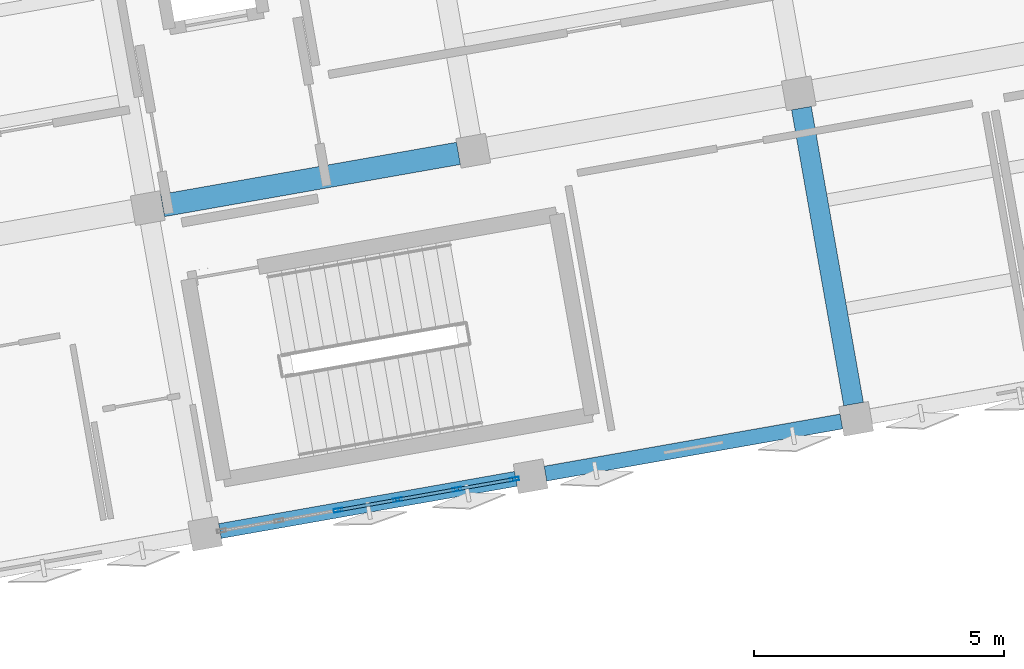
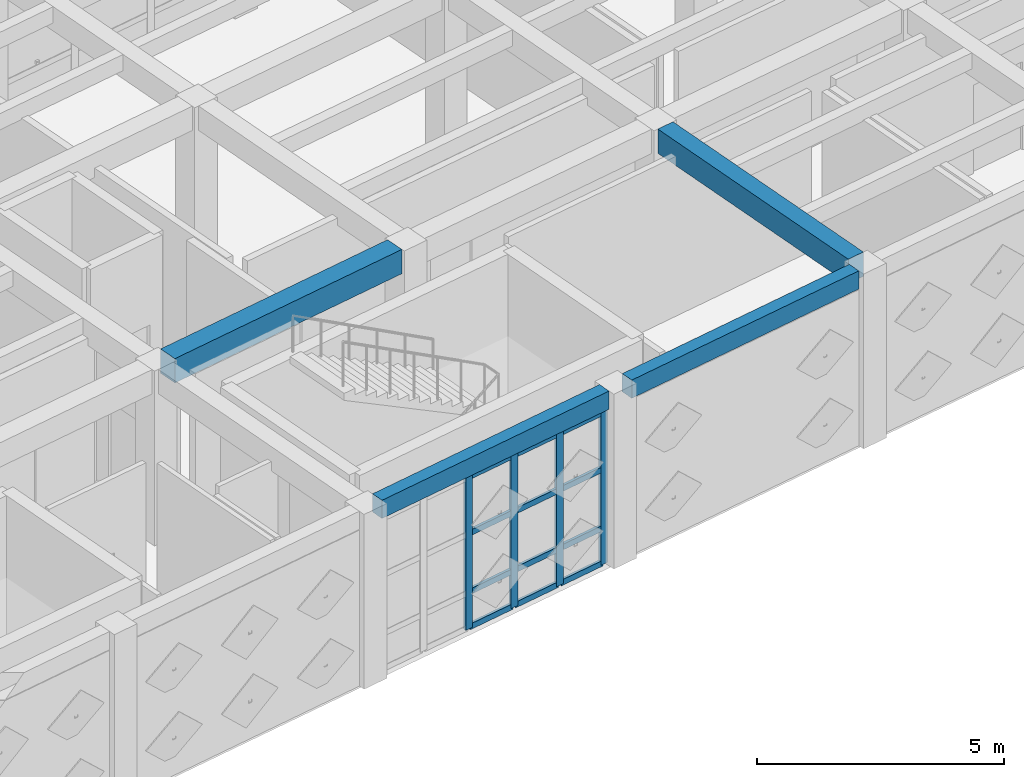
# One storey, part 4 of 36: 16 members, 4 beams, 1 element without a shape of its own.
"""IFC4 building model written with IfcOpenShell, lengths in metres."""

from ifc_helpers import new_model, si_unit, direction, frame, origin, origin_2d, place, context, subcontext, project, spatial, rectangle, hollow_rectangle, extrude, material, layer, layer_set, material_profile, profile_set, type_object, element, aggregate, save


model = new_model("IFC4")

# Units and contexts
model_context = context("Model", 3, precision=1e-05, world=origin(), true_north=direction((0.0, 1.0)))
body_context = subcontext(model_context, "Body", "Model", "MODEL_VIEW")
ifc_project = project(units=[si_unit("LENGTHUNIT", "METRE"), si_unit("AREAUNIT", "SQUARE_METRE"), si_unit("VOLUMEUNIT", "CUBIC_METRE"), si_unit("PLANEANGLEUNIT", "RADIAN"), si_unit("MASSUNIT", "GRAM", prefix="KILO")], contexts=[model_context])

# Site, building, storey
site_placement = place(None, origin())
site = spatial("IfcSite", under=ifc_project, at=site_placement, CompositionType="ELEMENT")
building_placement = place(site_placement, origin())
building = spatial("IfcBuilding", under=site, at=building_placement, Name="Kharisveld Research Institute", CompositionType="ELEMENT")
storey_placement = place(building_placement, frame((0.0, 0.0, 27.60009765625)))
storey = spatial("IfcBuildingStorey", under=building, at=storey_placement, Name="L06", CompositionType="ELEMENT", Elevation=27.60009765625)

# Beams
ifc_material_1 = material(Name="Concrete C40/50", Category="concrete")
ifc_material_profile_1 = material_profile(ifc_material_1, rectangle(XDim=0.39990234375, YDim=0.60009765625, at=origin_2d()))
ifc_profile_set_1 = profile_set([ifc_material_profile_1], Name="Concrete C40/50")
beam_type_1 = type_object("IfcBeamType", Name="BM_RC_400x600", PredefinedType="BEAM", material=ifc_profile_set_1)
beam_1_placement = place(storey_placement, frame((31.146728515625, 39.8896484375, 4.02001953125), z_axis=(-0.173622845926, 0.984812219346, 0.0), x_axis=(-0.984812219346, -0.173622845926, 0.0)))
element("IfcBeam", 1, at=beam_1_placement, inside=storey, type_object=beam_type_1, Name="BM:V1:L06:V4_0", PredefinedType="BEAM", context=body_context, shape_type="SweptSolid", body=[
    extrude(rectangle(XDim=0.39990234375, YDim=0.60009765625, at=origin_2d()), origin(), (0.0, 0.0, 1.0), 6.0),
])
ifc_material_2 = material(Name="Concrete C40/50", Category="concrete")
ifc_material_profile_2 = material_profile(ifc_material_2, rectangle(XDim=0.449951171875, YDim=0.60009765625, at=origin_2d()))
ifc_profile_set_2 = profile_set([ifc_material_profile_2], Name="Concrete C40/50")
beam_type_2 = type_object("IfcBeamType", Name="BM_RC_450x600", PredefinedType="BEAM", material=ifc_profile_set_2)
beam_2_placement = place(storey_placement, frame((17.348876953125, 43.85400390625, 4.02001953125), z_axis=(0.984810992686, 0.173629803561, 0.0), x_axis=(-0.173629803561, 0.984810992686, 0.0)))
element("IfcBeam", 2, at=beam_2_placement, inside=storey, type_object=beam_type_2, Name="BM:V1:L06:U2_1", PredefinedType="BEAM", context=body_context, shape_type="SweptSolid", body=[
    extrude(rectangle(XDim=0.449951171875, YDim=0.60009765625, at=origin_2d()), origin(), (0.0, 0.0, 1.0), 5.999755859375),
])

# Curtain wall, members
ifc_material_3 = material(Name="Thermally Broken Aluminium Curtain Wall", Category="aluminium")
ifc_layer = layer(ifc_material_3, 0.159912109375)
ifc_layer_set = layer_set([ifc_layer], Name="CW_SYS_01")
curtain_wall_type = type_object("IfcCurtainWallType", Name="CW_SYS_01", PredefinedType="NOTDEFINED", material=ifc_layer_set)
curtain_wall_placement = place(storey_placement, origin())
curtain_wall = element("IfcCurtainWall", 3, at=curtain_wall_placement, inside=storey, type_object=curtain_wall_type, Name="CW:V1:L06:S3", PredefinedType="NOTDEFINED")
ifc_material_4 = material(Name="Anodised Aluminium AW-6063-T6", Category="aluminium")
ifc_material_profile_3 = material_profile(ifc_material_4, hollow_rectangle(XDim=0.070068359375, YDim=0.179931640625, WallThickness=0.00439453125, at=origin_2d()))
ifc_profile_set_3 = profile_set([ifc_material_profile_3], Name="Anodised Aluminium AW-6063-T6")
member_type_1 = type_object("IfcMemberType", Name="CW_MUL_180", PredefinedType="MULLION", material=ifc_profile_set_3)
member_1_placement = place(storey_placement, frame((24.374267578125, 38.390869140625, 0.0), z_axis=(0.0, 0.0, 1.0), x_axis=(0.173648210685, -0.98480774719, 0.0)))
member_1 = element("IfcMember", 4, at=member_1_placement, type_object=member_type_1, Name="CW-01 mullion 1", PredefinedType="MULLION", context=body_context, shape_type="SweptSolid", body=[
    extrude(hollow_rectangle(XDim=0.070068359375, YDim=0.179931640625, WallThickness=0.00439453125, at=origin_2d()), origin(), (0.0, 0.0, 1.0), 3.77978515625),
])
member_2_placement = place(storey_placement, frame((23.224853515625, 38.188232421875, 0.0), z_axis=(0.0, 0.0, 1.0), x_axis=(0.173648210685, -0.98480774719, 0.0)))
member_2 = element("IfcMember", 5, at=member_2_placement, type_object=member_type_1, Name="CW-01 mullion 2", PredefinedType="MULLION", context=body_context, shape_type="SweptSolid", body=[
    extrude(hollow_rectangle(XDim=0.070068359375, YDim=0.179931640625, WallThickness=0.00439453125, at=origin_2d()), origin(), (0.0, 0.0, 1.0), 3.77978515625),
])
member_3_placement = place(storey_placement, frame((22.041259765625, 37.9794921875, 0.0), z_axis=(0.0, 0.0, 1.0), x_axis=(0.173648210685, -0.98480774719, 0.0)))
member_3 = element("IfcMember", 6, at=member_3_placement, type_object=member_type_1, Name="CW-01 mullion 3", PredefinedType="MULLION", context=body_context, shape_type="SweptSolid", body=[
    extrude(hollow_rectangle(XDim=0.070068359375, YDim=0.179931640625, WallThickness=0.00439453125, at=origin_2d()), origin(), (0.0, 0.0, 1.0), 3.77978515625),
])
member_4_placement = place(storey_placement, frame((20.857421875, 37.770751953125, 0.0), z_axis=(0.0, 0.0, 1.0), x_axis=(0.173648210685, -0.98480774719, 0.0)))
member_4 = element("IfcMember", 7, at=member_4_placement, type_object=member_type_1, Name="CW-01 mullion 4", PredefinedType="MULLION", context=body_context, shape_type="SweptSolid", body=[
    extrude(hollow_rectangle(XDim=0.070068359375, YDim=0.179931640625, WallThickness=0.00439453125, at=origin_2d()), origin(), (0.0, 0.0, 1.0), 3.77978515625),
])
ifc_material_5 = material(Name="Anodised Aluminium AW-6063-T6", Category="aluminium")
ifc_material_profile_4 = material_profile(ifc_material_5, hollow_rectangle(XDim=0.06494140625, YDim=0.139892578125, WallThickness=0.00390625, at=origin_2d()))
ifc_profile_set_4 = profile_set([ifc_material_profile_4], Name="Anodised Aluminium AW-6063-T6")
member_type_2 = type_object("IfcMemberType", Name="CW_TRN_140", PredefinedType="USERDEFINED", material=ifc_profile_set_4)
member_5_placement = place(storey_placement, frame((24.33984375, 38.384765625, 0.032470703125), z_axis=(-0.984817148087, -0.17359488712, 0.0), x_axis=(0.17359488712, -0.984817148087, 0.0)))
member_5 = element("IfcMember", 8, at=member_5_placement, type_object=member_type_2, Name="CW-01 transom 1.1", ObjectType="TRANSOM", PredefinedType="USERDEFINED", context=body_context, shape_type="SweptSolid", body=[
    extrude(hollow_rectangle(XDim=0.06494140625, YDim=0.139892578125, WallThickness=0.00390625, at=origin_2d()), origin(), (0.0, 0.0, 1.0), 1.096923828125),
])
member_6_placement = place(storey_placement, frame((24.33984375, 38.384765625, 0.89990234375), z_axis=(-0.984817148087, -0.17359488712, 0.0), x_axis=(0.17359488712, -0.984817148087, 0.0)))
member_6 = element("IfcMember", 9, at=member_6_placement, type_object=member_type_2, Name="CW-01 transom 1.2", ObjectType="TRANSOM", PredefinedType="USERDEFINED", context=body_context, shape_type="SweptSolid", body=[
    extrude(hollow_rectangle(XDim=0.06494140625, YDim=0.139892578125, WallThickness=0.00390625, at=origin_2d()), origin(), (0.0, 0.0, 1.0), 1.096923828125),
])
member_7_placement = place(storey_placement, frame((24.33984375, 38.384765625, 2.349853515625), z_axis=(-0.984817148087, -0.17359488712, 0.0), x_axis=(0.17359488712, -0.984817148087, 0.0)))
member_7 = element("IfcMember", 10, at=member_7_placement, type_object=member_type_2, Name="CW-01 transom 1.3", ObjectType="TRANSOM", PredefinedType="USERDEFINED", context=body_context, shape_type="SweptSolid", body=[
    extrude(hollow_rectangle(XDim=0.06494140625, YDim=0.139892578125, WallThickness=0.00390625, at=origin_2d()), origin(), (0.0, 0.0, 1.0), 1.096923828125),
])
member_8_placement = place(storey_placement, frame((24.33984375, 38.384765625, 3.747314453125), z_axis=(-0.984817148087, -0.17359488712, 0.0), x_axis=(0.17359488712, -0.984817148087, 0.0)))
member_8 = element("IfcMember", 11, at=member_8_placement, type_object=member_type_2, Name="CW-01 transom 1.4", ObjectType="TRANSOM", PredefinedType="USERDEFINED", context=body_context, shape_type="SweptSolid", body=[
    extrude(hollow_rectangle(XDim=0.06494140625, YDim=0.139892578125, WallThickness=0.00390625, at=origin_2d()), origin(), (0.0, 0.0, 1.0), 1.096923828125),
])
member_9_placement = place(storey_placement, frame((23.1904296875, 38.18212890625, 0.032470703125), z_axis=(-0.984811772889, -0.173625378269, 0.0), x_axis=(0.173625378269, -0.984811772889, 0.0)))
member_9 = element("IfcMember", 12, at=member_9_placement, type_object=member_type_2, Name="CW-01 transom 2.1", ObjectType="TRANSOM", PredefinedType="USERDEFINED", context=body_context, shape_type="SweptSolid", body=[
    extrude(hollow_rectangle(XDim=0.06494140625, YDim=0.139892578125, WallThickness=0.00390625, at=origin_2d()), origin(), (0.0, 0.0, 1.0), 1.1318359375),
])
member_10_placement = place(storey_placement, frame((23.1904296875, 38.18212890625, 0.89990234375), z_axis=(-0.984811772889, -0.173625378269, 0.0), x_axis=(0.173625378269, -0.984811772889, 0.0)))
member_10 = element("IfcMember", 13, at=member_10_placement, type_object=member_type_2, Name="CW-01 transom 2.2", ObjectType="TRANSOM", PredefinedType="USERDEFINED", context=body_context, shape_type="SweptSolid", body=[
    extrude(hollow_rectangle(XDim=0.06494140625, YDim=0.139892578125, WallThickness=0.00390625, at=origin_2d()), origin(), (0.0, 0.0, 1.0), 1.1318359375),
])
member_11_placement = place(storey_placement, frame((23.1904296875, 38.18212890625, 2.349853515625), z_axis=(-0.984811772889, -0.173625378269, 0.0), x_axis=(0.173625378269, -0.984811772889, 0.0)))
member_11 = element("IfcMember", 14, at=member_11_placement, type_object=member_type_2, Name="CW-01 transom 2.3", ObjectType="TRANSOM", PredefinedType="USERDEFINED", context=body_context, shape_type="SweptSolid", body=[
    extrude(hollow_rectangle(XDim=0.06494140625, YDim=0.139892578125, WallThickness=0.00390625, at=origin_2d()), origin(), (0.0, 0.0, 1.0), 1.1318359375),
])
member_12_placement = place(storey_placement, frame((23.1904296875, 38.18212890625, 3.747314453125), z_axis=(-0.984811772889, -0.173625378269, 0.0), x_axis=(0.173625378269, -0.984811772889, 0.0)))
member_12 = element("IfcMember", 15, at=member_12_placement, type_object=member_type_2, Name="CW-01 transom 2.4", ObjectType="TRANSOM", PredefinedType="USERDEFINED", context=body_context, shape_type="SweptSolid", body=[
    extrude(hollow_rectangle(XDim=0.06494140625, YDim=0.139892578125, WallThickness=0.00390625, at=origin_2d()), origin(), (0.0, 0.0, 1.0), 1.1318359375),
])
member_13_placement = place(storey_placement, frame((22.0068359375, 37.973388671875, 0.032470703125), z_axis=(-0.98481827277, -0.173588506586, 0.0), x_axis=(0.173588506586, -0.98481827277, 0.0)))
member_13 = element("IfcMember", 16, at=member_13_placement, type_object=member_type_2, Name="CW-01 transom 3.1", ObjectType="TRANSOM", PredefinedType="USERDEFINED", context=body_context, shape_type="SweptSolid", body=[
    extrude(hollow_rectangle(XDim=0.06494140625, YDim=0.139892578125, WallThickness=0.00390625, at=origin_2d()), origin(), (0.0, 0.0, 1.0), 1.132080078125),
])
member_14_placement = place(storey_placement, frame((22.0068359375, 37.973388671875, 0.89990234375), z_axis=(-0.98481827277, -0.173588506586, 0.0), x_axis=(0.173588506586, -0.98481827277, 0.0)))
member_14 = element("IfcMember", 17, at=member_14_placement, type_object=member_type_2, Name="CW-01 transom 3.2", ObjectType="TRANSOM", PredefinedType="USERDEFINED", context=body_context, shape_type="SweptSolid", body=[
    extrude(hollow_rectangle(XDim=0.06494140625, YDim=0.139892578125, WallThickness=0.00390625, at=origin_2d()), origin(), (0.0, 0.0, 1.0), 1.132080078125),
])
member_15_placement = place(storey_placement, frame((22.0068359375, 37.973388671875, 2.349853515625), z_axis=(-0.98481827277, -0.173588506586, 0.0), x_axis=(0.173588506586, -0.98481827277, 0.0)))
member_15 = element("IfcMember", 18, at=member_15_placement, type_object=member_type_2, Name="CW-01 transom 3.3", ObjectType="TRANSOM", PredefinedType="USERDEFINED", context=body_context, shape_type="SweptSolid", body=[
    extrude(hollow_rectangle(XDim=0.06494140625, YDim=0.139892578125, WallThickness=0.00390625, at=origin_2d()), origin(), (0.0, 0.0, 1.0), 1.132080078125),
])
member_16_placement = place(storey_placement, frame((22.0068359375, 37.973388671875, 3.747314453125), z_axis=(-0.98481827277, -0.173588506586, 0.0), x_axis=(0.173588506586, -0.98481827277, 0.0)))
member_16 = element("IfcMember", 19, at=member_16_placement, type_object=member_type_2, Name="CW-01 transom 3.4", ObjectType="TRANSOM", PredefinedType="USERDEFINED", context=body_context, shape_type="SweptSolid", body=[
    extrude(hollow_rectangle(XDim=0.06494140625, YDim=0.139892578125, WallThickness=0.00390625, at=origin_2d()), origin(), (0.0, 0.0, 1.0), 1.132080078125),
])
aggregate(curtain_wall, [member_1, member_2, member_3, member_4, member_5, member_6, member_7, member_8, member_9, member_10, member_11, member_12, member_13, member_14, member_15, member_16])

# Beams
ifc_material_6 = material(Name="Concrete C40/50", Category="concrete")
ifc_material_profile_5 = material_profile(ifc_material_6, rectangle(XDim=0.300048828125, YDim=0.449951171875, at=origin_2d()))
ifc_profile_set_5 = profile_set([ifc_material_profile_5], Name="Concrete C40/50")
beam_type_3 = type_object("IfcBeamType", Name="SP_RC_300x450", PredefinedType="SPANDREL", material=ifc_profile_set_5)
for number, where, z_axis, x_axis, name in (
    (20, (18.494873046875, 37.354248046875, 4.094970703125), (0.984805261243, 0.173662308598, 0.0), (-0.173662308598, 0.984805261243, 0.0), "BM:V1:L06:U2_0"),
    (21, (24.99462890625, 38.500244140625, 4.094970703125), (0.984805261243, 0.173662308598, 0.0), (-0.173662308598, 0.984805261243, 0.0), "BM:V1:L06:U3_0"),
):
    element("IfcBeam", number, at=place(storey_placement, frame(where, z_axis=z_axis, x_axis=x_axis)), inside=storey, type_object=beam_type_3, Name=name, PredefinedType="SPANDREL", context=body_context, shape_type="SweptSolid", body=[
        extrude(rectangle(XDim=0.300048828125, YDim=0.449951171875, at=origin_2d()), origin(), (0.0, 0.0, 1.0), 6.0),
    ])

save(model, "model.ifc")
